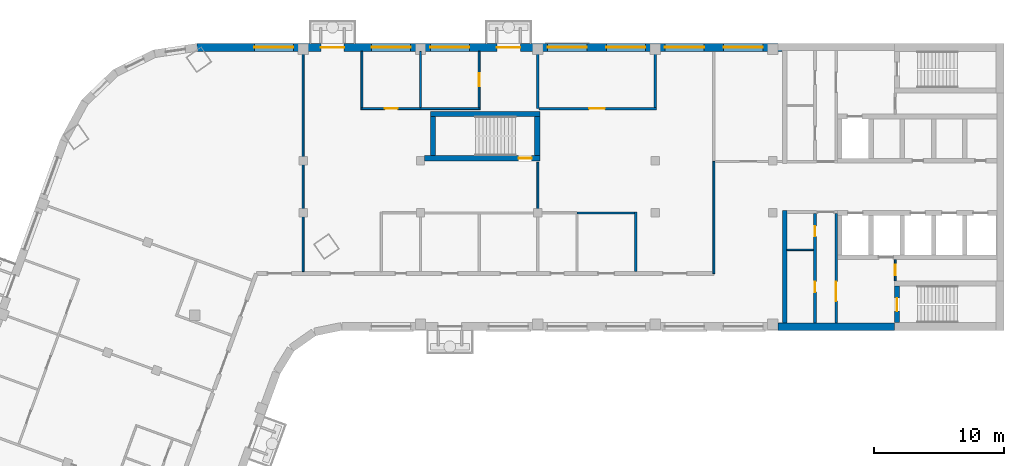
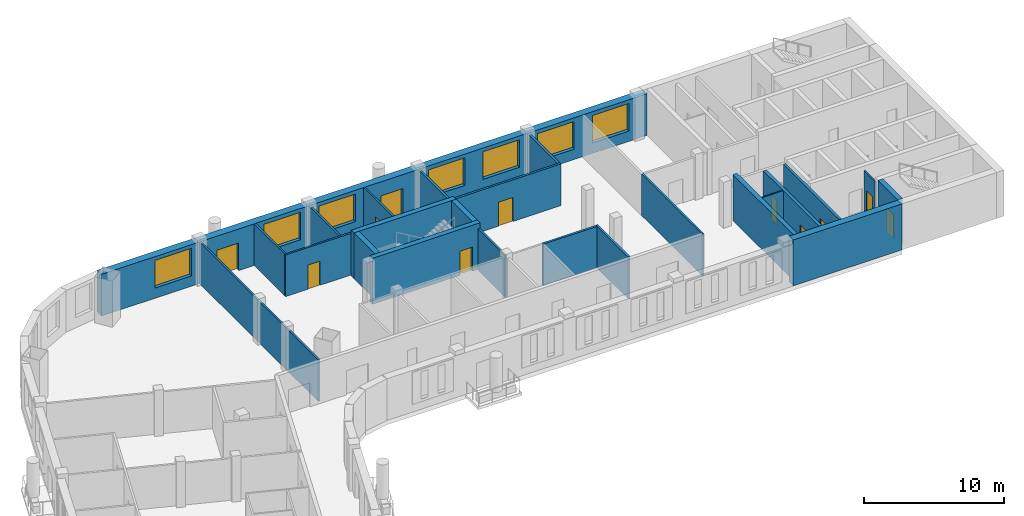
# One storey, part 5 of 10: 24 walls, 11 doors, 7 windows, 18 openings.
"""IFC4 building model written with IfcOpenShell, lengths in metres."""

from ifc_helpers import new_model, si_unit, direction, frame, frame_2d, origin, place, context, subcontext, project, spatial, rectangle, extrude, material, layer, layer_set, type_object, element, fill, save


model = new_model("IFC4")

# Units and contexts
model_context = context("Model", 3, precision=1e-05, world=origin(), true_north=direction((0.0, 1.0)))
body_context = subcontext(model_context, "Body", "Model", "MODEL_VIEW")
ifc_project = project(units=[si_unit("LENGTHUNIT", "METRE"), si_unit("AREAUNIT", "SQUARE_METRE"), si_unit("VOLUMEUNIT", "CUBIC_METRE"), si_unit("PLANEANGLEUNIT", "RADIAN"), si_unit("MASSUNIT", "GRAM", prefix="KILO")], contexts=[model_context])

# Site, building, storey
site_placement = place(None, origin())
site = spatial("IfcSite", under=ifc_project, at=site_placement, CompositionType="ELEMENT")
building_placement = place(site_placement, origin())
building = spatial("IfcBuilding", under=site, at=building_placement, Name="Skarvind Civic Tower", CompositionType="ELEMENT")
storey_placement = place(building_placement, frame((0.0, 0.0, 154.5)))
storey = spatial("IfcBuildingStorey", under=building, at=storey_placement, Name="L36", CompositionType="ELEMENT", Elevation=154.5)

# Walls
ifc_material_1 = material(Name="Acoustic gypsum board on steel studs", Category="steel")
ifc_layer_1 = layer(ifc_material_1, 0.175048828125)
ifc_layer_set_1 = layer_set([ifc_layer_1], Name="ACOUSTIC MEETING-ROOM PARTITION 175")
wall_type_1 = type_object("IfcWallType", Name="ACOUSTIC MEETING-ROOM PARTITION 175", PredefinedType="PARTITIONING", material=ifc_layer_set_1)
wall_1_placement = place(storey_placement, frame((72.25, 134.0, 0.0), z_axis=(0.0, 0.0, 1.0), x_axis=(0.0, 1.0, 0.0)))
element("IfcWall", 1, at=wall_1_placement, inside=storey, type_object=wall_type_1, Name="Partition 36.040", PredefinedType="PARTITIONING", context=body_context, shape_type="SweptSolid", body=[
    extrude(rectangle(XDim=4.39990234375, YDim=0.175048828125, at=frame_2d((2.199951171875, 0.0))), origin(), (0.0, 0.0, 1.0), 3.625),
])
wall_2_placement = place(storey_placement, frame((79.75, 121.5, 0.0), z_axis=(0.0, 0.0, 1.0), x_axis=(0.0, 1.0, 0.0)))
element("IfcWall", 2, at=wall_2_placement, inside=storey, type_object=wall_type_1, Name="Partition 36.043", PredefinedType="PARTITIONING", context=body_context, shape_type="SweptSolid", body=[
    extrude(rectangle(XDim=4.587890625, YDim=0.175048828125, at=frame_2d((2.2939453125, 0.0))), origin(), (0.0, 0.0, 1.0), 3.625),
])
wall_3_placement = place(storey_placement, frame((79.662109375, 126.0, 0.0), z_axis=(0.0, 0.0, 1.0), x_axis=(-1.0, 0.0, 0.0)))
element("IfcWall", 3, at=wall_3_placement, inside=storey, type_object=wall_type_1, Name="Partition 36.044", PredefinedType="PARTITIONING", context=body_context, shape_type="SweptSolid", body=[
    extrude(rectangle(XDim=4.412109375, YDim=0.175048828125, at=frame_2d((2.2060546875, 0.0))), origin(), (0.0, 0.0, 1.0), 3.625),
])

# Wall, opening, door
wall_4_placement = place(storey_placement, frame((81.337890625, 134.0, 0.0), z_axis=(0.0, 0.0, 1.0), x_axis=(-1.0, 0.0, 0.0)))
wall_4 = element("IfcWall", 4, at=wall_4_placement, inside=storey, type_object=wall_type_1, Name="Partition 36.045", PredefinedType="PARTITIONING", context=body_context, shape_type="SweptSolid", body=[
    extrude(rectangle(XDim=9.0, YDim=0.175048828125, at=frame_2d((4.5, 0.0))), origin(), (0.0, 0.0, 1.0), 3.625),
])
opening_1_placement = place(wall_4_placement, frame((3.9541015625, 0.0, 0.0)))
opening_1 = element("IfcOpeningElement", 5, at=opening_1_placement, cuts=wall_4, Name="Opening L36-D004", PredefinedType="OPENING", context=body_context, shape_type="SweptSolid", body=[
    extrude(rectangle(XDim=1.199951171875, YDim=2.10009765625, at=frame_2d((0.60009765625, 1.050048828125))), frame((0.0, 0.097412109375, 0.0), z_axis=(0.0, -1.0, 0.0), x_axis=(1.0, 0.0, 0.0)), (0.0, 0.0, 1.0), 0.195068359375),
])
ifc_material_2 = material(Name="Timber door leaf", Category="wood")
door_type_1 = type_object("IfcDoorType", Name="DOOR 1200X2100 DOUBLE TIMBER", OperationType="NOTDEFINED", PredefinedType="DOOR", material=ifc_material_2)
door_1_placement = place(opening_1_placement, origin())
door_1 = element("IfcDoor", 6, at=door_1_placement, inside=storey, type_object=door_type_1, Name="Door L36-D004", OperationType="DOUBLE_DOOR_SINGLE_SWING", OverallHeight=2.10009765625, OverallWidth=1.199951171875, PredefinedType="DOOR", context=body_context, shape_type="SweptSolid", body=[
    extrude(rectangle(XDim=1.199951171875, YDim=2.10009765625, at=frame_2d((0.60009765625, 1.050048828125))), frame((0.0, 0.02490234375, 0.0), z_axis=(0.0, -1.0, 0.0), x_axis=(1.0, 0.0, 0.0)), (0.0, 0.0, 1.0), 0.050048828125),
])
fill(opening_1, door_1)

# Wall
wall_5_placement = place(storey_placement, frame((81.25, 138.39990234375, 0.0), z_axis=(0.0, 0.0, 1.0), x_axis=(0.0, -1.0, 0.0)))
element("IfcWall", 7, at=wall_5_placement, inside=storey, type_object=wall_type_1, Name="Partition 36.046", PredefinedType="PARTITIONING", context=body_context, shape_type="SweptSolid", body=[
    extrude(rectangle(XDim=4.31201171875, YDim=0.175048828125, at=frame_2d((2.156005859375, 0.0))), origin(), (0.0, 0.0, 1.0), 3.625),
])

# Wall, opening, door
ifc_material_3 = material(Name="Fire-rated masonry partition", Category="masonry")
ifc_layer_2 = layer(ifc_material_3, 0.199951171875)
ifc_layer_set_2 = layer_set([ifc_layer_2], Name="Core enclosure wall 200")
wall_type_2 = type_object("IfcWallType", Name="Core enclosure wall 200", PredefinedType="PARTITIONING", material=ifc_layer_set_2)
wall_6_placement = place(storey_placement, frame((95.125, 117.550048828125, 0.0), z_axis=(0.0, 0.0, 1.0), x_axis=(0.0, 1.0, 0.0)))
wall_6 = element("IfcWall", 8, at=wall_6_placement, inside=storey, type_object=wall_type_2, Name="Core wall C1", PredefinedType="PARTITIONING", context=body_context, shape_type="SweptSolid", body=[
    extrude(rectangle(XDim=8.425048828125, YDim=0.199951171875, at=frame_2d((4.21240234375, 0.0))), origin(), (0.0, 0.0, 1.0), 3.625),
])
opening_2_placement = place(wall_6_placement, frame((1.6875, 0.0, 0.0)))
opening_2 = element("IfcOpeningElement", 9, at=opening_2_placement, cuts=wall_6, Name="Opening D-L36-C1-08", PredefinedType="OPENING", context=body_context, shape_type="SweptSolid", body=[
    extrude(rectangle(XDim=1.5, YDim=2.10009765625, at=frame_2d((0.75, 1.050048828125))), frame((0.0, 0.10986328125, 0.0), z_axis=(0.0, -1.0, 0.0), x_axis=(1.0, 0.0, 0.0)), (0.0, 0.0, 1.0), 0.219970703125),
])
ifc_material_4 = material(Name="Fire-rated steel door", Category="steel")
door_type_2 = type_object("IfcDoorType", Name="Fire door 1500", OperationType="NOTDEFINED", PredefinedType="DOOR", material=ifc_material_4)
door_2_placement = place(opening_2_placement, origin())
door_2 = element("IfcDoor", 10, at=door_2_placement, inside=storey, type_object=door_type_2, Name="Fire door", OperationType="DOUBLE_DOOR_SINGLE_SWING", OverallHeight=2.10009765625, OverallWidth=1.5, PredefinedType="DOOR", context=body_context, shape_type="SweptSolid", body=[
    extrude(rectangle(XDim=1.5, YDim=2.10009765625, at=frame_2d((0.75, 1.050048828125))), frame((0.0, 0.02490234375, 0.0), z_axis=(0.0, -1.0, 0.0), x_axis=(1.0, 0.0, 0.0)), (0.0, 0.0, 1.0), 0.050048828125),
])
fill(opening_2, door_2)

# Walls
ifc_material_5 = material(Name="Fire-rated plasterboard partition")
ifc_layer_3 = layer(ifc_material_5, 0.10009765625)
ifc_layer_set_3 = layer_set([ifc_layer_3], Name="Core partition wall 100")
wall_type_3 = type_object("IfcWallType", Name="Core partition wall 100", PredefinedType="PARTITIONING", material=ifc_layer_set_3)
wall_7_placement = place(storey_placement, frame((93.375, 123.169921875, 0.0), z_axis=(0.0, 0.0, 1.0), x_axis=(-1.0, 0.0, 0.0)))
element("IfcWall", 11, at=wall_7_placement, inside=storey, type_object=wall_type_3, Name="Core wall C1", PredefinedType="PARTITIONING", context=body_context, shape_type="SweptSolid", body=[
    extrude(rectangle(XDim=2.02490234375, YDim=0.10009765625, at=frame_2d((1.012451171875, 0.0))), origin(), (0.0, 0.0, 1.0), 3.625),
])
ifc_material_6 = material(Name="Concrete C60", Category="concrete")
ifc_layer_4 = layer(ifc_material_6, 0.35009765625)
ifc_layer_set_4 = layer_set([ifc_layer_4], Name="Core wall 350 C60")
wall_type_4 = type_object("IfcWallType", Name="Core wall 350 C60", PredefinedType="SHEAR", material=ifc_layer_set_4)
wall_8_placement = place(storey_placement, frame((91.175048828125, 126.199951171875, 0.0), z_axis=(0.0, 0.0, 1.0), x_axis=(0.0, -1.0, 0.0)))
element("IfcWall", 12, at=wall_8_placement, inside=storey, type_object=wall_type_4, Name="Core wall C1 north inner face L36", PredefinedType="SHEAR", context=body_context, shape_type="SweptSolid", body=[
    extrude(rectangle(XDim=8.64990234375, YDim=0.35009765625, at=frame_2d((4.324951171875, 0.0))), origin(), (0.0, 0.0, 1.0), 4.0),
])

# Wall, opening, door
ifc_layer_5 = layer(ifc_material_6, 0.39990234375)
ifc_layer_set_5 = layer_set([ifc_layer_5], Name="Core wall 400 C60")
wall_type_5 = type_object("IfcWallType", Name="Core wall 400 C60", PredefinedType="SHEAR", material=ifc_layer_set_5)
wall_9_placement = place(storey_placement, frame((99.800048828125, 120.39990234375, 0.0), z_axis=(0.0, 0.0, 1.0), x_axis=(0.0, -1.0, 0.0)))
wall_9 = element("IfcWall", 13, at=wall_9_placement, inside=storey, type_object=wall_type_5, Name="Core wall C1 north stair end L36", PredefinedType="SHEAR", context=body_context, shape_type="SweptSolid", body=[
    extrude(rectangle(XDim=2.7998046875, YDim=0.39990234375, at=frame_2d((1.39990234375, 0.0))), origin(), (0.0, 0.0, 1.0), 4.0),
])
opening_3_placement = place(wall_9_placement, frame((0.925048828125, 0.0, 0.0)))
opening_3 = element("IfcOpeningElement", 14, at=opening_3_placement, cuts=wall_9, Name="Opening D-L36-C1-09", PredefinedType="OPENING", context=body_context, shape_type="SweptSolid", body=[
    extrude(rectangle(XDim=1.0, YDim=2.10009765625, at=frame_2d((0.5, 1.050048828125))), frame((0.0, 0.2099609375, 0.0), z_axis=(0.0, -1.0, 0.0), x_axis=(1.0, 0.0, 0.0)), (0.0, 0.0, 1.0), 0.419921875),
])
door_type_3 = type_object("IfcDoorType", Name="Fire door 1000", OperationType="NOTDEFINED", PredefinedType="DOOR", material=ifc_material_4)
door_3_placement = place(opening_3_placement, origin())
door_3 = element("IfcDoor", 15, at=door_3_placement, inside=storey, type_object=door_type_3, Name="Fire door", OperationType="SINGLE_SWING_LEFT", OverallHeight=2.10009765625, OverallWidth=1.0, PredefinedType="DOOR", context=body_context, shape_type="SweptSolid", body=[
    extrude(rectangle(XDim=1.0, YDim=2.10009765625, at=frame_2d((0.5, 1.050048828125))), frame((0.0, 0.02490234375, 0.0), z_axis=(0.0, -1.0, 0.0), x_axis=(1.0, 0.0, 0.0)), (0.0, 0.0, 1.0), 0.050048828125),
])
fill(opening_3, door_3)

wall_10_placement = place(storey_placement, frame((63.574951171875, 130.199951171875, 0.0), z_axis=(0.0, 0.0, 1.0), x_axis=(1.0, 0.0, 0.0)))
wall_10 = element("IfcWall", 16, at=wall_10_placement, inside=storey, type_object=wall_type_5, Name="Core wall CM inner L36", PredefinedType="SHEAR", context=body_context, shape_type="SweptSolid", body=[
    extrude(rectangle(XDim=8.824951171875, YDim=0.39990234375, at=frame_2d((4.41259765625, 0.0))), origin(), (0.0, 0.0, 1.0), 4.0),
])
opening_4_placement = place(wall_10_placement, frame((7.199951171875, 0.0, 0.0)))
opening_4 = element("IfcOpeningElement", 17, at=opening_4_placement, cuts=wall_10, Name="Opening D-L36-CM-01", PredefinedType="OPENING", context=body_context, shape_type="SweptSolid", body=[
    extrude(rectangle(XDim=1.0, YDim=2.10009765625, at=frame_2d((0.5, 1.050048828125))), frame((0.0, 0.2099609375, 0.0), z_axis=(0.0, -1.0, 0.0), x_axis=(1.0, 0.0, 0.0)), (0.0, 0.0, 1.0), 0.419921875),
])
door_4_placement = place(opening_4_placement, origin())
door_4 = element("IfcDoor", 18, at=door_4_placement, inside=storey, type_object=door_type_3, Name="Fire door", OperationType="SINGLE_SWING_LEFT", OverallHeight=2.10009765625, OverallWidth=1.0, PredefinedType="DOOR", context=body_context, shape_type="SweptSolid", body=[
    extrude(rectangle(XDim=1.0, YDim=2.10009765625, at=frame_2d((0.5, 1.050048828125))), frame((0.0, 0.02490234375, 0.0), z_axis=(0.0, -1.0, 0.0), x_axis=(1.0, 0.0, 0.0)), (0.0, 0.0, 1.0), 0.050048828125),
])
fill(opening_4, door_4)

# Walls
wall_11_placement = place(storey_placement, frame((64.0, 133.60009765625, 0.0), z_axis=(0.0, 0.0, 1.0), x_axis=(1.0, 0.0, 0.0)))
element("IfcWall", 19, at=wall_11_placement, inside=storey, type_object=wall_type_5, Name="Core wall CM outer L36", PredefinedType="SHEAR", context=body_context, shape_type="SweptSolid", body=[
    extrude(rectangle(XDim=8.39990234375, YDim=0.39990234375, at=frame_2d((4.199951171875, 0.0))), origin(), (0.0, 0.0, 1.0), 4.0),
])
for number, where, z_axis, x_axis, name in (
    (20, (64.199951171875, 130.39990234375, 0.0), (0.0, 0.0, 1.0), (0.0, 1.0, 0.0), "Core wall CM west L36"),
    (21, (72.199951171875, 130.39990234375, 0.0), (0.0, 0.0, 1.0), (0.0, 1.0, 0.0), "Core wall CM end L36"),
):
    element("IfcWall", number, at=place(storey_placement, frame(where, z_axis=z_axis, x_axis=x_axis)), inside=storey, type_object=wall_type_5, Name=name, PredefinedType="SHEAR", context=body_context, shape_type="SweptSolid", body=[
        extrude(rectangle(XDim=3.0, YDim=0.39990234375, at=frame_2d((1.5, 0.0))), origin(), (0.0, 0.0, 1.0), 4.0),
    ])
ifc_layer_6 = layer(ifc_material_6, 0.550048828125)
ifc_layer_set_6 = layer_set([ifc_layer_6], Name="Core wall 550 C60")
wall_type_6 = type_object("IfcWallType", Name="Core wall 550 C60", PredefinedType="SHEAR", material=ifc_layer_set_6)
wall_12_placement = place(storey_placement, frame((99.60009765625, 117.27490234375, 0.0), z_axis=(0.0, 0.0, 1.0), x_axis=(-1.0, 0.0, 0.0)))
element("IfcWall", 22, at=wall_12_placement, inside=storey, type_object=wall_type_6, Name="Core wall C1 north side L36", PredefinedType="SHEAR", context=body_context, shape_type="SweptSolid", body=[
    extrude(rectangle(XDim=8.9501953125, YDim=0.550048828125, at=frame_2d((4.47509765625, 0.0))), origin(), (0.0, 0.0, 1.0), 4.0),
])
ifc_material_7 = material(Name="Plasterboard partition on steel studs", Category="steel")
ifc_layer_7 = layer(ifc_material_7, 0.14990234375)
ifc_layer_set_7 = layer_set([ifc_layer_7], Name="PARTITION 150")
wall_type_7 = type_object("IfcWallType", Name="PARTITION 150", PredefinedType="PARTITIONING", material=ifc_layer_set_7)
wall_13_placement = place(storey_placement, frame((54.25, 138.39990234375, 0.0), z_axis=(0.0, 0.0, 1.0), x_axis=(0.0, -1.0, 0.0)))
element("IfcWall", 23, at=wall_13_placement, inside=storey, type_object=wall_type_7, Name="Partition 36.027", PredefinedType="PARTITIONING", context=body_context, shape_type="SweptSolid", body=[
    extrude(rectangle(XDim=16.89990234375, YDim=0.14990234375, at=frame_2d((8.449951171875, 0.0))), origin(), (0.0, 0.0, 1.0), 3.625),
])
wall_14_placement = place(storey_placement, frame((58.75, 134.074951171875, 0.0), z_axis=(0.0, 0.0, 1.0), x_axis=(0.0, 1.0, 0.0)))
element("IfcWall", 24, at=wall_14_placement, inside=storey, type_object=wall_type_7, Name="Partition 36.028", PredefinedType="PARTITIONING", context=body_context, shape_type="SweptSolid", body=[
    extrude(rectangle(XDim=4.324951171875, YDim=0.14990234375, at=frame_2d((2.16259765625, 0.0))), origin(), (0.0, 0.0, 1.0), 3.625),
])

# Wall, opening, door
wall_15_placement = place(storey_placement, frame((67.824951171875, 134.0, 0.0), z_axis=(0.0, 0.0, 1.0), x_axis=(-1.0, 0.0, 0.0)))
wall_15 = element("IfcWall", 25, at=wall_15_placement, inside=storey, type_object=wall_type_7, Name="Partition 36.029", PredefinedType="PARTITIONING", context=body_context, shape_type="SweptSolid", body=[
    extrude(rectangle(XDim=9.14990234375, YDim=0.14990234375, at=frame_2d((4.574951171875, 0.0))), origin(), (0.0, 0.0, 1.0), 3.625),
])
opening_5_placement = place(wall_15_placement, frame((6.324951171875, 0.0, 0.0)))
opening_5 = element("IfcOpeningElement", 26, at=opening_5_placement, cuts=wall_15, Name="Opening L36-D010", PredefinedType="OPENING", context=body_context, shape_type="SweptSolid", body=[
    extrude(rectangle(XDim=1.0, YDim=2.10009765625, at=frame_2d((0.5, 1.050048828125))), frame((0.0, 0.0849609375, 0.0), z_axis=(0.0, -1.0, 0.0), x_axis=(1.0, 0.0, 0.0)), (0.0, 0.0, 1.0), 0.169921875),
])
door_type_4 = type_object("IfcDoorType", Name="D1 1000x2100", OperationType="NOTDEFINED", PredefinedType="DOOR", material=ifc_material_2)
door_5_placement = place(opening_5_placement, origin())
door_5 = element("IfcDoor", 27, at=door_5_placement, inside=storey, type_object=door_type_4, Name="Door L36-D010", OperationType="SINGLE_SWING_RIGHT", OverallHeight=2.10009765625, OverallWidth=1.0, PredefinedType="DOOR", context=body_context, shape_type="SweptSolid", body=[
    extrude(rectangle(XDim=1.0, YDim=2.10009765625, at=frame_2d((0.5, 1.050048828125))), frame((0.0, 0.02490234375, 0.0), z_axis=(0.0, -1.0, 0.0), x_axis=(1.0, 0.0, 0.0)), (0.0, 0.0, 1.0), 0.050048828125),
])
fill(opening_5, door_5)

# Wall
wall_16_placement = place(storey_placement, frame((63.25, 134.074951171875, 0.0), z_axis=(0.0, 0.0, 1.0), x_axis=(0.0, 1.0, 0.0)))
element("IfcWall", 28, at=wall_16_placement, inside=storey, type_object=wall_type_7, Name="Partition 36.034", PredefinedType="PARTITIONING", context=body_context, shape_type="SweptSolid", body=[
    extrude(rectangle(XDim=4.324951171875, YDim=0.14990234375, at=frame_2d((2.16259765625, 0.0))), origin(), (0.0, 0.0, 1.0), 3.625),
])

# Wall, opening, door
wall_17_placement = place(storey_placement, frame((67.75, 138.39990234375, 0.0), z_axis=(0.0, 0.0, 1.0), x_axis=(0.0, -1.0, 0.0)))
wall_17 = element("IfcWall", 29, at=wall_17_placement, inside=storey, type_object=wall_type_7, Name="Partition 36.036", PredefinedType="PARTITIONING", context=body_context, shape_type="SweptSolid", body=[
    extrude(rectangle(XDim=4.324951171875, YDim=0.14990234375, at=frame_2d((2.16259765625, 0.0))), origin(), (0.0, 0.0, 1.0), 3.625),
])
opening_6_placement = place(wall_17_placement, frame((1.672607421875, 0.0, 0.0)))
opening_6 = element("IfcOpeningElement", 30, at=opening_6_placement, cuts=wall_17, Name="Opening L36-D009", PredefinedType="OPENING", context=body_context, shape_type="SweptSolid", body=[
    extrude(rectangle(XDim=1.0, YDim=2.10009765625, at=frame_2d((0.5, 1.050048828125))), frame((0.0, 0.0849609375, 0.0), z_axis=(0.0, -1.0, 0.0), x_axis=(1.0, 0.0, 0.0)), (0.0, 0.0, 1.0), 0.169921875),
])
door_6_placement = place(opening_6_placement, origin())
door_6 = element("IfcDoor", 31, at=door_6_placement, inside=storey, type_object=door_type_4, Name="Door L36-D009", OperationType="SINGLE_SWING_LEFT", OverallHeight=2.10009765625, OverallWidth=1.0, PredefinedType="DOOR", context=body_context, shape_type="SweptSolid", body=[
    extrude(rectangle(XDim=1.0, YDim=2.10009765625, at=frame_2d((0.5, 1.050048828125))), frame((0.0, 0.02490234375, 0.0), z_axis=(0.0, -1.0, 0.0), x_axis=(1.0, 0.0, 0.0)), (0.0, 0.0, 1.0), 0.050048828125),
])
fill(opening_6, door_6)

# Walls
wall_18_placement = place(storey_placement, frame((72.25, 126.0, 0.0), z_axis=(0.0, 0.0, 1.0), x_axis=(0.0, 1.0, 0.0)))
element("IfcWall", 32, at=wall_18_placement, inside=storey, type_object=wall_type_7, Name="Partition 36.038", PredefinedType="PARTITIONING", context=body_context, shape_type="SweptSolid", body=[
    extrude(rectangle(XDim=3.89990234375, YDim=0.14990234375, at=frame_2d((1.949951171875, 0.0))), origin(), (0.0, 0.0, 1.0), 3.625),
])
wall_19_placement = place(storey_placement, frame((85.75, 121.35009765625, 0.0), z_axis=(0.0, 0.0, 1.0), x_axis=(0.0, 1.0, 0.0)))
element("IfcWall", 33, at=wall_19_placement, inside=storey, type_object=wall_type_7, Name="Partition 36.047", PredefinedType="PARTITIONING", context=body_context, shape_type="SweptSolid", body=[
    extrude(rectangle(XDim=8.599853515625, YDim=0.14990234375, at=frame_2d((4.2998046875, 0.0))), origin(), (0.0, 0.0, 1.0), 3.625),
])

# Wall, opening, door
ifc_layer_8 = layer(ifc_material_3, 0.125)
ifc_layer_set_8 = layer_set([ifc_layer_8], Name="Riser wall 125")
wall_type_8 = type_object("IfcWallType", Name="Riser wall 125", PredefinedType="PARTITIONING", material=ifc_layer_set_8)
wall_20_placement = place(storey_placement, frame((99.66259765625, 120.800048828125, 0.0), z_axis=(0.0, 0.0, 1.0), x_axis=(0.0, 1.0, 0.0)))
wall_20 = element("IfcWall", 34, at=wall_20_placement, inside=storey, type_object=wall_type_8, Name="Core wall C1", PredefinedType="PARTITIONING", context=body_context, shape_type="SweptSolid", body=[
    extrude(rectangle(XDim=1.625, YDim=0.125, at=frame_2d((0.8125, 0.0))), origin(), (0.0, 0.0, 1.0), 3.625),
])
opening_7_placement = place(wall_20_placement, frame((0.41259765625, 0.0, 0.0)))
opening_7 = element("IfcOpeningElement", 35, at=opening_7_placement, cuts=wall_20, Name="Opening D-L36-C1-10", PredefinedType="OPENING", context=body_context, shape_type="SweptSolid", body=[
    extrude(rectangle(XDim=0.800048828125, YDim=2.10009765625, at=frame_2d((0.39990234375, 1.050048828125))), frame((0.0, 0.072509765625, 0.0), z_axis=(0.0, -1.0, 0.0), x_axis=(1.0, 0.0, 0.0)), (0.0, 0.0, 1.0), 0.14501953125),
])
door_type_5 = type_object("IfcDoorType", Name="Core riser door 800", OperationType="NOTDEFINED", PredefinedType="DOOR", material=ifc_material_4)
door_7_placement = place(opening_7_placement, origin())
door_7 = element("IfcDoor", 36, at=door_7_placement, inside=storey, type_object=door_type_5, Name="Riser door", OperationType="SINGLE_SWING_RIGHT", OverallHeight=2.10009765625, OverallWidth=0.800048828125, PredefinedType="DOOR", context=body_context, shape_type="SweptSolid", body=[
    extrude(rectangle(XDim=0.800048828125, YDim=2.10009765625, at=frame_2d((0.39990234375, 1.050048828125))), frame((0.0, 0.02490234375, 0.0), z_axis=(0.0, -1.0, 0.0), x_axis=(1.0, 0.0, 0.0)), (0.0, 0.0, 1.0), 0.050048828125),
])
fill(opening_7, door_7)

# Wall, openings, doors
ifc_layer_9 = layer(ifc_material_3, 0.25)
ifc_layer_set_9 = layer_set([ifc_layer_9], Name="Service block wall 250")
wall_type_9 = type_object("IfcWallType", Name="Service block wall 250", PredefinedType="PARTITIONING", material=ifc_layer_set_9)
wall_21_placement = place(storey_placement, frame((93.5, 117.550048828125, 0.0), z_axis=(0.0, 0.0, 1.0), x_axis=(0.0, 1.0, 0.0)))
wall_21 = element("IfcWall", 37, at=wall_21_placement, inside=storey, type_object=wall_type_9, Name="Core wall C1", PredefinedType="PARTITIONING", context=body_context, shape_type="SweptSolid", body=[
    extrude(rectangle(XDim=8.425048828125, YDim=0.25, at=frame_2d((4.21240234375, 0.0))), origin(), (0.0, 0.0, 1.0), 3.625),
])
opening_8_placement = place(wall_21_placement, frame((6.6474609375, 0.0, 0.0)))
opening_8 = element("IfcOpeningElement", 38, at=opening_8_placement, cuts=wall_21, Name="Opening D-L36-C1-11", PredefinedType="OPENING", context=body_context, shape_type="SweptSolid", body=[
    extrude(rectangle(XDim=0.800048828125, YDim=2.10009765625, at=frame_2d((0.39990234375, 1.050048828125))), frame((0.0, 0.135009765625, 0.0), z_axis=(0.0, -1.0, 0.0), x_axis=(1.0, 0.0, 0.0)), (0.0, 0.0, 1.0), 0.27001953125),
])
opening_9_placement = place(wall_21_placement, frame((2.385009765625, 0.0, 0.0)))
opening_9 = element("IfcOpeningElement", 39, at=opening_9_placement, cuts=wall_21, Name="Opening D-L36-C1-12", PredefinedType="OPENING", context=body_context, shape_type="SweptSolid", body=[
    extrude(rectangle(XDim=0.800048828125, YDim=2.10009765625, at=frame_2d((0.39990234375, 1.050048828125))), frame((0.0, 0.135009765625, 0.0), z_axis=(0.0, -1.0, 0.0), x_axis=(1.0, 0.0, 0.0)), (0.0, 0.0, 1.0), 0.27001953125),
])
door_8_placement = place(opening_8_placement, origin())
door_8 = element("IfcDoor", 40, at=door_8_placement, inside=storey, type_object=door_type_5, Name="Riser door", OperationType="SINGLE_SWING_LEFT", OverallHeight=2.10009765625, OverallWidth=0.800048828125, PredefinedType="DOOR", context=body_context, shape_type="SweptSolid", body=[
    extrude(rectangle(XDim=0.800048828125, YDim=2.10009765625, at=frame_2d((0.39990234375, 1.050048828125))), frame((0.0, 0.02490234375, 0.0), z_axis=(0.0, -1.0, 0.0), x_axis=(1.0, 0.0, 0.0)), (0.0, 0.0, 1.0), 0.050048828125),
])
fill(opening_8, door_8)
door_9_placement = place(opening_9_placement, origin())
door_9 = element("IfcDoor", 41, at=door_9_placement, inside=storey, type_object=door_type_5, Name="Riser door", OperationType="SINGLE_SWING_RIGHT", OverallHeight=2.10009765625, OverallWidth=0.800048828125, PredefinedType="DOOR", context=body_context, shape_type="SweptSolid", body=[
    extrude(rectangle(XDim=0.800048828125, YDim=2.10009765625, at=frame_2d((0.39990234375, 1.050048828125))), frame((0.0, 0.02490234375, 0.0), z_axis=(0.0, -1.0, 0.0), x_axis=(1.0, 0.0, 0.0)), (0.0, 0.0, 1.0), 0.050048828125),
])
fill(opening_9, door_9)

# Wall, openings, doors, windows
ifc_material_8 = material(Name="Limestone masonry cladding on insulated backing", Category="masonry")
ifc_layer_10 = layer(ifc_material_8, 0.60009765625)
ifc_layer_set_10 = layer_set([ifc_layer_10], Name="WX1 STONE FACADE WALL 600")
wall_type_10 = type_object("IfcWallType", Name="WX1 STONE FACADE WALL 600", PredefinedType="SOLIDWALL", material=ifc_layer_set_10)
wall_22_placement = place(storey_placement, frame((46.095458984375, 138.699951171875, 0.0), z_axis=(0.0, 0.0, 1.0), x_axis=(1.0, 0.0, 0.0)))
wall_22 = element("IfcWall", 42, at=wall_22_placement, inside=storey, type_object=wall_type_10, Name="STONE FACADE WALL", PredefinedType="SOLIDWALL", context=body_context, shape_type="SweptSolid", body=[
    extrude(rectangle(XDim=44.884521484375, YDim=0.60009765625, at=frame_2d((22.4423828125, 0.0))), origin(), (0.0, 0.0, 1.0), 3.625),
])
opening_10_placement = place(wall_22_placement, frame((4.404541015625, 0.0, 0.89990234375)))
opening_10 = element("IfcOpeningElement", 43, at=opening_10_placement, cuts=wall_22, Name="Opening WN1", PredefinedType="OPENING", context=body_context, shape_type="SweptSolid", body=[
    extrude(rectangle(XDim=3.0, YDim=2.39990234375, at=frame_2d((1.5, 1.199951171875))), frame((0.0, 0.31005859375, 0.0), z_axis=(0.0, -1.0, 0.0), x_axis=(1.0, 0.0, 0.0)), (0.0, 0.0, 1.0), 0.6201171875),
])
opening_11_placement = place(wall_22_placement, frame((9.50439453125, 0.0, 0.0)))
opening_11 = element("IfcOpeningElement", 44, at=opening_11_placement, cuts=wall_22, Name="Opening DX3", PredefinedType="OPENING", context=body_context, shape_type="SweptSolid", body=[
    extrude(rectangle(XDim=1.800048828125, YDim=2.39990234375, at=frame_2d((0.89990234375, 1.199951171875))), frame((0.0, 0.31005859375, 0.0), z_axis=(0.0, -1.0, 0.0), x_axis=(1.0, 0.0, 0.0)), (0.0, 0.0, 1.0), 0.6201171875),
])
opening_12_placement = place(wall_22_placement, frame((13.404541015625, 0.0, 0.89990234375)))
opening_12 = element("IfcOpeningElement", 45, at=opening_12_placement, cuts=wall_22, Name="Opening WN1", PredefinedType="OPENING", context=body_context, shape_type="SweptSolid", body=[
    extrude(rectangle(XDim=3.0, YDim=2.39990234375, at=frame_2d((1.5, 1.199951171875))), frame((0.0, 0.31005859375, 0.0), z_axis=(0.0, -1.0, 0.0), x_axis=(1.0, 0.0, 0.0)), (0.0, 0.0, 1.0), 0.6201171875),
])
opening_13_placement = place(wall_22_placement, frame((17.904541015625, 0.0, 0.89990234375)))
opening_13 = element("IfcOpeningElement", 46, at=opening_13_placement, cuts=wall_22, Name="Opening WN1", PredefinedType="OPENING", context=body_context, shape_type="SweptSolid", body=[
    extrude(rectangle(XDim=3.0, YDim=2.39990234375, at=frame_2d((1.5, 1.199951171875))), frame((0.0, 0.31005859375, 0.0), z_axis=(0.0, -1.0, 0.0), x_axis=(1.0, 0.0, 0.0)), (0.0, 0.0, 1.0), 0.6201171875),
])
opening_14_placement = place(wall_22_placement, frame((23.00439453125, 0.0, 0.0)))
opening_14 = element("IfcOpeningElement", 47, at=opening_14_placement, cuts=wall_22, Name="Opening DX3", PredefinedType="OPENING", context=body_context, shape_type="SweptSolid", body=[
    extrude(rectangle(XDim=1.800048828125, YDim=2.39990234375, at=frame_2d((0.89990234375, 1.199951171875))), frame((0.0, 0.31005859375, 0.0), z_axis=(0.0, -1.0, 0.0), x_axis=(1.0, 0.0, 0.0)), (0.0, 0.0, 1.0), 0.6201171875),
])
opening_15_placement = place(wall_22_placement, frame((26.904541015625, 0.0, 0.89990234375)))
opening_15 = element("IfcOpeningElement", 48, at=opening_15_placement, cuts=wall_22, Name="Opening WN1", PredefinedType="OPENING", context=body_context, shape_type="SweptSolid", body=[
    extrude(rectangle(XDim=3.0, YDim=2.39990234375, at=frame_2d((1.5, 1.199951171875))), frame((0.0, 0.31005859375, 0.0), z_axis=(0.0, -1.0, 0.0), x_axis=(1.0, 0.0, 0.0)), (0.0, 0.0, 1.0), 0.6201171875),
])
opening_16_placement = place(wall_22_placement, frame((31.404541015625, 0.0, 0.89990234375)))
opening_16 = element("IfcOpeningElement", 49, at=opening_16_placement, cuts=wall_22, Name="Opening WN1", PredefinedType="OPENING", context=body_context, shape_type="SweptSolid", body=[
    extrude(rectangle(XDim=3.0, YDim=2.39990234375, at=frame_2d((1.5, 1.199951171875))), frame((0.0, 0.31005859375, 0.0), z_axis=(0.0, -1.0, 0.0), x_axis=(1.0, 0.0, 0.0)), (0.0, 0.0, 1.0), 0.6201171875),
])
opening_17_placement = place(wall_22_placement, frame((35.904541015625, 0.0, 0.89990234375)))
opening_17 = element("IfcOpeningElement", 50, at=opening_17_placement, cuts=wall_22, Name="Opening WN1", PredefinedType="OPENING", context=body_context, shape_type="SweptSolid", body=[
    extrude(rectangle(XDim=3.0, YDim=2.39990234375, at=frame_2d((1.5, 1.199951171875))), frame((0.0, 0.31005859375, 0.0), z_axis=(0.0, -1.0, 0.0), x_axis=(1.0, 0.0, 0.0)), (0.0, 0.0, 1.0), 0.6201171875),
])
opening_18_placement = place(wall_22_placement, frame((40.404541015625, 0.0, 0.89990234375)))
opening_18 = element("IfcOpeningElement", 51, at=opening_18_placement, cuts=wall_22, Name="Opening WN1", PredefinedType="OPENING", context=body_context, shape_type="SweptSolid", body=[
    extrude(rectangle(XDim=3.0, YDim=2.39990234375, at=frame_2d((1.5, 1.199951171875))), frame((0.0, 0.31005859375, 0.0), z_axis=(0.0, -1.0, 0.0), x_axis=(1.0, 0.0, 0.0)), (0.0, 0.0, 1.0), 0.6201171875),
])
ifc_material_9 = material(Name="Timber and glass doorset", Category="wood")
door_type_6 = type_object("IfcDoorType", Name="DX3 TERRACE DOORS 1800 x 2400", OperationType="NOTDEFINED", PredefinedType="DOOR", material=ifc_material_9)
door_10_placement = place(opening_11_placement, origin())
door_10 = element("IfcDoor", 52, at=door_10_placement, inside=storey, type_object=door_type_6, Name="TERRACE DOORS", OperationType="DOUBLE_DOOR_SINGLE_SWING", OverallHeight=2.39990234375, OverallWidth=1.800048828125, PredefinedType="DOOR", context=body_context, shape_type="SweptSolid", body=[
    extrude(rectangle(XDim=1.800048828125, YDim=2.39990234375, at=frame_2d((0.89990234375, 1.199951171875))), frame((0.0, 0.02490234375, 0.0), z_axis=(0.0, -1.0, 0.0), x_axis=(1.0, 0.0, 0.0)), (0.0, 0.0, 1.0), 0.050048828125),
])
fill(opening_11, door_10)
door_11_placement = place(opening_14_placement, origin())
door_11 = element("IfcDoor", 53, at=door_11_placement, inside=storey, type_object=door_type_6, Name="TERRACE DOORS", OperationType="DOUBLE_DOOR_SINGLE_SWING", OverallHeight=2.39990234375, OverallWidth=1.800048828125, PredefinedType="DOOR", context=body_context, shape_type="SweptSolid", body=[
    extrude(rectangle(XDim=1.800048828125, YDim=2.39990234375, at=frame_2d((0.89990234375, 1.199951171875))), frame((0.0, 0.02490234375, 0.0), z_axis=(0.0, -1.0, 0.0), x_axis=(1.0, 0.0, 0.0)), (0.0, 0.0, 1.0), 0.050048828125),
])
fill(opening_14, door_11)
ifc_material_10 = material(Name="Timber frame, double glazing, timber-lined reveal", Category="wood")
window_type = type_object("IfcWindowType", Name="WN1 PUNCHED STONE WINDOW 3000 x 2400", PartitioningType="SINGLE_PANEL", PredefinedType="WINDOW", material=ifc_material_10)
window_1_placement = place(opening_10_placement, origin())
window_1 = element("IfcWindow", 54, at=window_1_placement, inside=storey, type_object=window_type, Name="WN1 WINDOW", OverallHeight=2.39990234375, OverallWidth=3.0, PartitioningType="SINGLE_PANEL", PredefinedType="WINDOW", context=body_context, shape_type="SweptSolid", body=[
    extrude(rectangle(XDim=3.0, YDim=2.39990234375, at=frame_2d((1.5, 1.199951171875))), frame((0.0, 0.030029296875, 0.0), z_axis=(0.0, -1.0, 0.0), x_axis=(1.0, 0.0, 0.0)), (0.0, 0.0, 1.0), 0.06005859375),
])
fill(opening_10, window_1)
window_2_placement = place(opening_12_placement, origin())
window_2 = element("IfcWindow", 55, at=window_2_placement, inside=storey, type_object=window_type, Name="WN1 WINDOW", OverallHeight=2.39990234375, OverallWidth=3.0, PartitioningType="SINGLE_PANEL", PredefinedType="WINDOW", context=body_context, shape_type="SweptSolid", body=[
    extrude(rectangle(XDim=3.0, YDim=2.39990234375, at=frame_2d((1.5, 1.199951171875))), frame((0.0, 0.030029296875, 0.0), z_axis=(0.0, -1.0, 0.0), x_axis=(1.0, 0.0, 0.0)), (0.0, 0.0, 1.0), 0.06005859375),
])
fill(opening_12, window_2)
window_3_placement = place(opening_13_placement, origin())
window_3 = element("IfcWindow", 56, at=window_3_placement, inside=storey, type_object=window_type, Name="WN1 WINDOW", OverallHeight=2.39990234375, OverallWidth=3.0, PartitioningType="SINGLE_PANEL", PredefinedType="WINDOW", context=body_context, shape_type="SweptSolid", body=[
    extrude(rectangle(XDim=3.0, YDim=2.39990234375, at=frame_2d((1.5, 1.199951171875))), frame((0.0, 0.030029296875, 0.0), z_axis=(0.0, -1.0, 0.0), x_axis=(1.0, 0.0, 0.0)), (0.0, 0.0, 1.0), 0.06005859375),
])
fill(opening_13, window_3)
window_4_placement = place(opening_15_placement, origin())
window_4 = element("IfcWindow", 57, at=window_4_placement, inside=storey, type_object=window_type, Name="WN1 WINDOW", OverallHeight=2.39990234375, OverallWidth=3.0, PartitioningType="SINGLE_PANEL", PredefinedType="WINDOW", context=body_context, shape_type="SweptSolid", body=[
    extrude(rectangle(XDim=3.0, YDim=2.39990234375, at=frame_2d((1.5, 1.199951171875))), frame((0.0, 0.030029296875, 0.0), z_axis=(0.0, -1.0, 0.0), x_axis=(1.0, 0.0, 0.0)), (0.0, 0.0, 1.0), 0.06005859375),
])
fill(opening_15, window_4)
window_5_placement = place(opening_16_placement, origin())
window_5 = element("IfcWindow", 58, at=window_5_placement, inside=storey, type_object=window_type, Name="WN1 WINDOW", OverallHeight=2.39990234375, OverallWidth=3.0, PartitioningType="SINGLE_PANEL", PredefinedType="WINDOW", context=body_context, shape_type="SweptSolid", body=[
    extrude(rectangle(XDim=3.0, YDim=2.39990234375, at=frame_2d((1.5, 1.199951171875))), frame((0.0, 0.030029296875, 0.0), z_axis=(0.0, -1.0, 0.0), x_axis=(1.0, 0.0, 0.0)), (0.0, 0.0, 1.0), 0.06005859375),
])
fill(opening_16, window_5)
window_6_placement = place(opening_17_placement, origin())
window_6 = element("IfcWindow", 59, at=window_6_placement, inside=storey, type_object=window_type, Name="WN1 WINDOW", OverallHeight=2.39990234375, OverallWidth=3.0, PartitioningType="SINGLE_PANEL", PredefinedType="WINDOW", context=body_context, shape_type="SweptSolid", body=[
    extrude(rectangle(XDim=3.0, YDim=2.39990234375, at=frame_2d((1.5, 1.199951171875))), frame((0.0, 0.030029296875, 0.0), z_axis=(0.0, -1.0, 0.0), x_axis=(1.0, 0.0, 0.0)), (0.0, 0.0, 1.0), 0.06005859375),
])
fill(opening_17, window_6)
window_7_placement = place(opening_18_placement, origin())
window_7 = element("IfcWindow", 60, at=window_7_placement, inside=storey, type_object=window_type, Name="WN1 WINDOW", OverallHeight=2.39990234375, OverallWidth=3.0, PartitioningType="SINGLE_PANEL", PredefinedType="WINDOW", context=body_context, shape_type="SweptSolid", body=[
    extrude(rectangle(XDim=3.0, YDim=2.39990234375, at=frame_2d((1.5, 1.199951171875))), frame((0.0, 0.030029296875, 0.0), z_axis=(0.0, -1.0, 0.0), x_axis=(1.0, 0.0, 0.0)), (0.0, 0.0, 1.0), 0.06005859375),
])
fill(opening_18, window_7)

save(model, "model.ifc")
